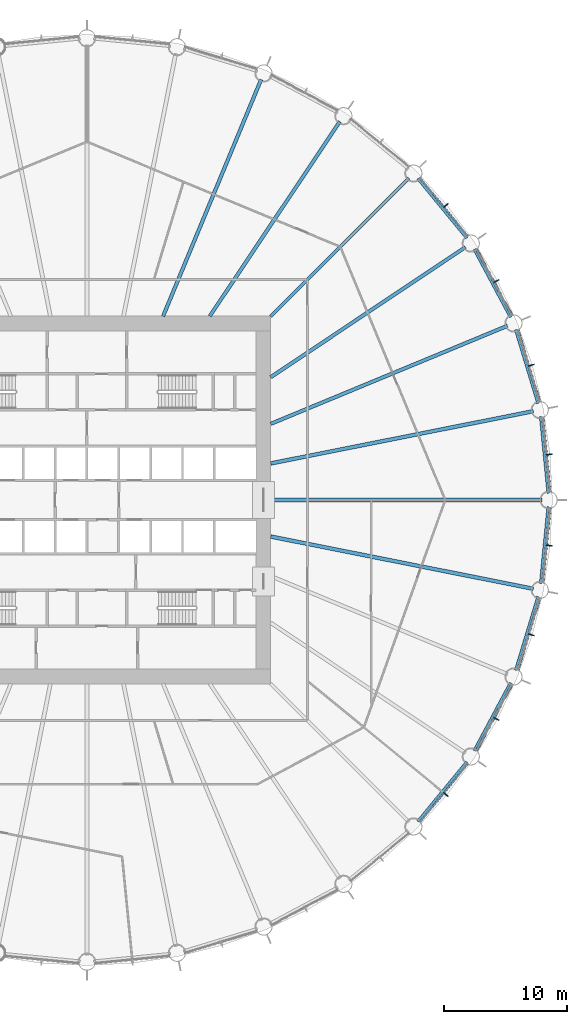
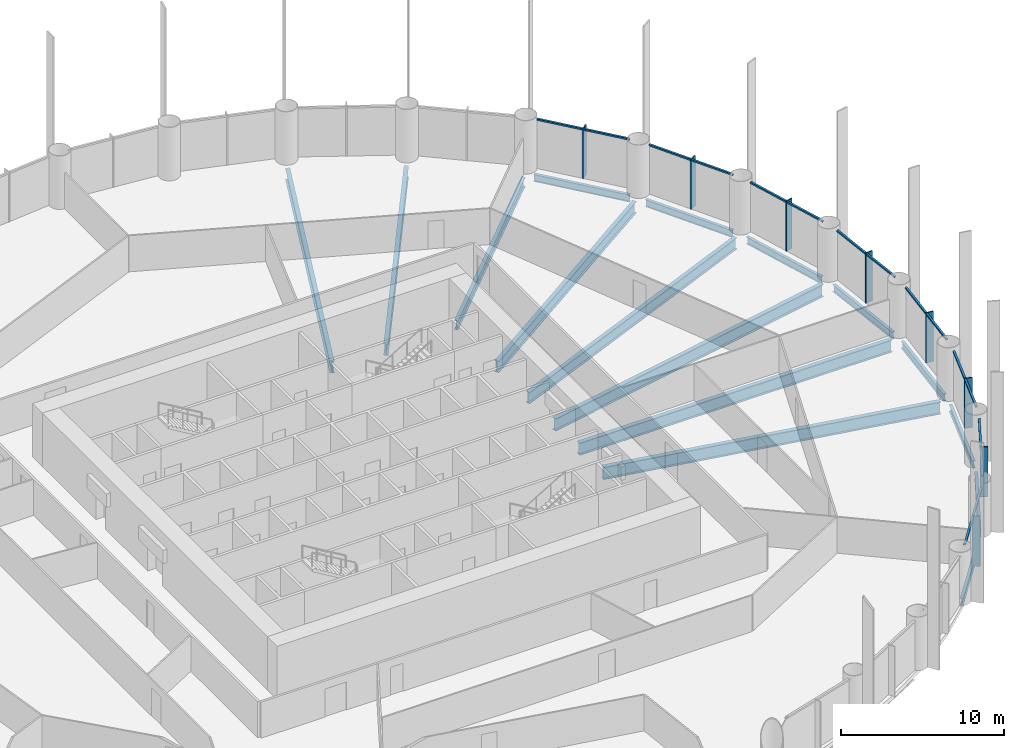
# One storey, part 5 of 15: 24 members, 16 beams, 8 elements without a shape of their own.
"""IFC4 building model written with IfcOpenShell, lengths in metres."""

from ifc_helpers import new_model, si_unit, direction, frame, origin, origin_2d, place, context, subcontext, project, spatial, rectangle, i_section, extrude, material, material_profile, profile_set, type_object, element, aggregate, save


model = new_model("IFC4")

# Units and contexts
model_context = context("Model", 3, precision=1e-05, world=origin(), true_north=direction((0.0, 1.0)))
body_context = subcontext(model_context, "Body", "Model", "MODEL_VIEW")
ifc_project = project(units=[si_unit("LENGTHUNIT", "METRE"), si_unit("AREAUNIT", "SQUARE_METRE"), si_unit("VOLUMEUNIT", "CUBIC_METRE"), si_unit("PLANEANGLEUNIT", "RADIAN"), si_unit("MASSUNIT", "GRAM", prefix="KILO")], contexts=[model_context])

# Site, building, storey
site_placement = place(None, origin())
site = spatial("IfcSite", under=ifc_project, at=site_placement, CompositionType="ELEMENT")
building_placement = place(site_placement, origin())
building = spatial("IfcBuilding", under=site, at=building_placement, Name="Corvane Civic Tower", CompositionType="ELEMENT")
storey_placement = place(building_placement, frame((0.0, 0.0, 65.0)))
storey = spatial("IfcBuildingStorey", under=building, at=storey_placement, Name="L14", CompositionType="ELEMENT", Elevation=65.0)

# Beams
ifc_material_1 = material(Name="Steel ASTM A992 Gr 50", Category="steel")
ifc_material_profile_1 = material_profile(ifc_material_1, i_section(OverallWidth=0.209228515625, OverallDepth=0.533447265625, WebThickness=0.01025390625, FlangeThickness=0.015625, at=origin_2d()), Name="W21X62")
ifc_profile_set_1 = profile_set([ifc_material_profile_1], Name="Steel ASTM A992 Gr 50")
beam_type_1 = type_object("IfcBeamType", Name="EDGE BEAM W21X62", PredefinedType="BEAM", material=ifc_profile_set_1)
beam_1_placement = place(storey_placement, frame((27.0068359375, 26.23291015625, -0.566650390625), z_axis=(0.634386787141, -0.773015785286, 0.0), x_axis=(0.773015785286, 0.634386787141, 0.0)))
element("IfcBeam", 1, at=beam_1_placement, inside=storey, type_object=beam_type_1, Name="BM-L14-E05", PredefinedType="BEAM", context=body_context, shape_type="SweptSolid", body=[
    extrude(i_section(OverallWidth=0.209228515625, OverallDepth=0.533447265625, WebThickness=0.01025390625, FlangeThickness=0.015625, at=origin_2d()), origin(), (0.0, 0.0, 1.0), 6.290771484375),
])
for number, where, z_axis, x_axis, name in (
    (2, (31.605712890625, 20.4599609375, -0.566650390625), (0.471405897311, -0.881916367906, 0.0), (0.881916367906, 0.471405897311, 0.0), "BM-L14-E06"),
    (3, (34.989990234375, 13.90087890625, -0.566650390625), (0.290273452184, -0.956943740748, 0.0), (0.956943740748, 0.290273452184, 0.0), "BM-L14-E07"),
):
    element("IfcBeam", number, at=place(storey_placement, frame(where, z_axis=z_axis, x_axis=x_axis)), inside=storey, type_object=beam_type_1, Name=name, PredefinedType="BEAM", context=body_context, shape_type="SweptSolid", body=[
        extrude(i_section(OverallWidth=0.209228515625, OverallDepth=0.533447265625, WebThickness=0.01025390625, FlangeThickness=0.015625, at=origin_2d()), origin(), (0.0, 0.0, 1.0), 6.290283203125),
    ])
for number, where, z_axis, x_axis, name in (
    (4, (37.029541015625, 6.8076171875, -0.566650390625), (0.097997284622, -0.995186682089, 0.0), (0.995186682089, 0.097997284622, 0.0), "BM-L14-E08"),
    (5, (37.64599609375, -0.54736328125, -0.566650390625), (-0.097997284622, -0.995186682089, 0.0), (0.995186682089, -0.097997284622, 0.0), "BM-L14-E09"),
):
    element("IfcBeam", number, at=place(storey_placement, frame(where, z_axis=z_axis, x_axis=x_axis)), inside=storey, type_object=beam_type_1, Name=name, PredefinedType="BEAM", context=body_context, shape_type="SweptSolid", body=[
        extrude(i_section(OverallWidth=0.209228515625, OverallDepth=0.533447265625, WebThickness=0.01025390625, FlangeThickness=0.015625, at=origin_2d()), origin(), (0.0, 0.0, 1.0), 6.29052734375),
    ])
for number, where, z_axis, x_axis, name in (
    (6, (36.81591796875, -7.88134765625, -0.566650390625), (-0.290273452184, -0.956943740748, 0.0), (0.956943740748, -0.290273452184, 0.0), "BM-L14-E10"),
    (7, (34.571044921875, -14.912353515625, -0.566650390625), (-0.471405897311, -0.881916367906, 0.0), (0.881916367906, -0.471405897311, 0.0), "BM-L14-E11"),
):
    element("IfcBeam", number, at=place(storey_placement, frame(where, z_axis=z_axis, x_axis=x_axis)), inside=storey, type_object=beam_type_1, Name=name, PredefinedType="BEAM", context=body_context, shape_type="SweptSolid", body=[
        extrude(i_section(OverallWidth=0.209228515625, OverallDepth=0.533447265625, WebThickness=0.01025390625, FlangeThickness=0.015625, at=origin_2d()), origin(), (0.0, 0.0, 1.0), 6.290283203125),
    ])
beam_2_placement = place(storey_placement, frame((30.99755859375, -21.3701171875, -0.566650390625), z_axis=(-0.634386787141, -0.773015785286, 0.0), x_axis=(0.773015785286, -0.634386787141, 0.0)))
element("IfcBeam", 8, at=beam_2_placement, inside=storey, type_object=beam_type_1, Name="BM-L14-E12", PredefinedType="BEAM", context=body_context, shape_type="SweptSolid", body=[
    extrude(i_section(OverallWidth=0.209228515625, OverallDepth=0.533447265625, WebThickness=0.01025390625, FlangeThickness=0.015625, at=origin_2d()), origin(), (0.0, 0.0, 1.0), 6.290771484375),
])
ifc_material_2 = material(Name="Steel ASTM A992 Gr 50", Category="steel")
ifc_material_profile_2 = material_profile(ifc_material_2, i_section(OverallWidth=0.256591796875, OverallDepth=0.693359375, WebThickness=0.014404296875, FlangeThickness=0.023681640625, at=origin_2d()), Name="W27X114")
ifc_profile_set_2 = profile_set([ifc_material_profile_2], Name="Steel ASTM A992 Gr 50")
beam_type_2 = type_object("IfcBeamType", Name="FLOOR GIRDER W27X114", PredefinedType="BEAM", material=ifc_profile_set_2)
beam_3_placement = place(storey_placement, frame((15.0, 15.0, -0.646728515625), z_axis=(0.707106781187, 0.707106781187, 0.0), x_axis=(-0.707106781187, 0.707106781187, 0.0)))
element("IfcBeam", 9, at=beam_3_placement, inside=storey, type_object=beam_type_2, Name="BM-L14-G05", PredefinedType="BEAM", context=body_context, shape_type="SweptSolid", body=[
    extrude(i_section(OverallWidth=0.256591796875, OverallDepth=0.693359375, WebThickness=0.014404296875, FlangeThickness=0.023681640625, at=origin_2d()), origin(), (0.0, 0.0, 1.0), 15.936767578125),
])
ifc_material_3 = material(Name="Steel ASTM A992 Gr 50", Category="steel")
ifc_material_profile_3 = material_profile(ifc_material_3, i_section(OverallWidth=0.2919921875, OverallDepth=0.8583984375, WebThickness=0.01708984375, FlangeThickness=0.031005859375, at=origin_2d()), Name="W33X169")
ifc_profile_set_3 = profile_set([ifc_material_profile_3], Name="Steel ASTM A992 Gr 50")
beam_type_3 = type_object("IfcBeamType", Name="FLOOR GIRDER W33X169", PredefinedType="BEAM", material=ifc_profile_set_3)
beam_4_placement = place(storey_placement, frame((6.213134765625, 15.0, -0.729248046875), z_axis=(0.382692360381, 0.923875834355, 0.0), x_axis=(-0.923875834355, 0.382692360381, 0.0)))
element("IfcBeam", 10, at=beam_4_placement, inside=storey, type_object=beam_type_3, Name="BM-L14-G03", PredefinedType="BEAM", context=body_context, shape_type="SweptSolid", body=[
    extrude(i_section(OverallWidth=0.2919921875, OverallDepth=0.8583984375, WebThickness=0.01708984375, FlangeThickness=0.031005859375, at=origin_2d()), origin(), (0.0, 0.0, 1.0), 20.9140625),
])
for number, where, z_axis, x_axis, name in (
    (11, (10.022705078125, 15.0, -0.729248046875), (0.555566681385, 0.831471985418, 0.0), (-0.831471985418, 0.555566681385, 0.0), "BM-L14-G04"),
    (12, (15.0, 10.022705078125, -0.729248046875), (0.831471985418, 0.555566681385, 0.0), (-0.555566681385, 0.831471985418, 0.0), "BM-L14-G06"),
):
    element("IfcBeam", number, at=place(storey_placement, frame(where, z_axis=z_axis, x_axis=x_axis)), inside=storey, type_object=beam_type_3, Name=name, PredefinedType="BEAM", context=body_context, shape_type="SweptSolid", body=[
        extrude(i_section(OverallWidth=0.2919921875, OverallDepth=0.8583984375, WebThickness=0.01708984375, FlangeThickness=0.031005859375, at=origin_2d()), origin(), (0.0, 0.0, 1.0), 19.109619140625),
    ])
beam_5_placement = place(storey_placement, frame((15.0, 6.213134765625, -0.729248046875), z_axis=(0.923875834355, 0.382692360381, 0.0), x_axis=(-0.382692360381, 0.923875834355, 0.0)))
element("IfcBeam", 13, at=beam_5_placement, inside=storey, type_object=beam_type_3, Name="BM-L14-G07", PredefinedType="BEAM", context=body_context, shape_type="SweptSolid", body=[
    extrude(i_section(OverallWidth=0.2919921875, OverallDepth=0.8583984375, WebThickness=0.01708984375, FlangeThickness=0.031005859375, at=origin_2d()), origin(), (0.0, 0.0, 1.0), 20.9140625),
])
ifc_material_4 = material(Name="Steel ASTM A992 Gr 50", Category="steel")
ifc_material_profile_4 = material_profile(ifc_material_4, i_section(OverallWidth=0.307373046875, OverallDepth=0.927001953125, WebThickness=0.01953125, FlangeThickness=0.031982421875, at=origin_2d()), Name="W36X194")
ifc_profile_set_4 = profile_set([ifc_material_profile_4], Name="Steel ASTM A992 Gr 50")
beam_type_4 = type_object("IfcBeamType", Name="FLOOR GIRDER W36X194", PredefinedType="BEAM", material=ifc_profile_set_4)
beam_6_placement = place(storey_placement, frame((15.0, 2.983642578125, -0.763671875), z_axis=(0.980785499679, 0.195089219638, 0.0), x_axis=(-0.195089219638, 0.980785499679, 0.0)))
element("IfcBeam", 14, at=beam_6_placement, inside=storey, type_object=beam_type_4, Name="BM-L14-G08", PredefinedType="BEAM", context=body_context, shape_type="SweptSolid", body=[
    extrude(i_section(OverallWidth=0.307373046875, OverallDepth=0.927001953125, WebThickness=0.01953125, FlangeThickness=0.031982421875, at=origin_2d()), origin(), (0.0, 0.0, 1.0), 21.856201171875),
])
beam_7_placement = place(storey_placement, frame((15.0, 0.0, -0.763671875), z_axis=(1.0, 0.0, 0.0), x_axis=(0.0, 1.0, 0.0)))
element("IfcBeam", 15, at=beam_7_placement, inside=storey, type_object=beam_type_4, Name="BM-L14-G09", PredefinedType="BEAM", context=body_context, shape_type="SweptSolid", body=[
    extrude(i_section(OverallWidth=0.307373046875, OverallDepth=0.927001953125, WebThickness=0.01953125, FlangeThickness=0.031982421875, at=origin_2d()), origin(), (0.0, 0.0, 1.0), 22.14990234375),
])
beam_8_placement = place(storey_placement, frame((15.0, -2.983642578125, -0.763671875), z_axis=(0.980785499679, -0.195089219638, 0.0), x_axis=(0.195089219638, 0.980785499679, 0.0)))
element("IfcBeam", 16, at=beam_8_placement, inside=storey, type_object=beam_type_4, Name="BM-L14-G10", PredefinedType="BEAM", context=body_context, shape_type="SweptSolid", body=[
    extrude(i_section(OverallWidth=0.307373046875, OverallDepth=0.927001953125, WebThickness=0.01953125, FlangeThickness=0.031982421875, at=origin_2d()), origin(), (0.0, 0.0, 1.0), 21.856201171875),
])

# Curtain wall, members
ifc_material_5 = material(Name="Anodised aluminium bronze", Category="aluminium")
curtain_wall_type = type_object("IfcCurtainWallType", Name="TOWER CW-T1 STICK CURTAIN WALL", PredefinedType="NOTDEFINED", material=ifc_material_5)
curtain_wall_1_placement = place(storey_placement, origin())
curtain_wall_1 = element("IfcCurtainWall", 17, at=curtain_wall_1_placement, inside=storey, type_object=curtain_wall_type, Name="Curtain wall CW-T1 L14 bay 05", PredefinedType="NOTDEFINED")
ifc_material_6 = material(Name="Anodised aluminium bronze", Category="aluminium")
ifc_material_profile_5 = material_profile(ifc_material_6, rectangle(XDim=0.139892578125, YDim=0.1201171875, at=origin_2d()), Name="TOWER CW-T1 TRANSOM 140x120")
ifc_profile_set_5 = profile_set([ifc_material_profile_5], Name="Anodised aluminium bronze")
member_type_1 = type_object("IfcMemberType", Name="TOWER CW-T1 TRANSOM 140x120", PredefinedType="USERDEFINED", material=ifc_profile_set_5)
member_1_placement = place(storey_placement, frame((27.20654296875, 26.271728515625, 3.68994140625), z_axis=(0.634403652865, -0.773001943873, 0.0), x_axis=(0.773001943873, 0.634403652865, 0.0)))
member_1 = element("IfcMember", 18, at=member_1_placement, type_object=member_type_1, Name="Transom CW-T1 L14 05.1", ObjectType="TRANSOM", PredefinedType="USERDEFINED", context=body_context, shape_type="SweptSolid", body=[
    extrude(rectangle(XDim=0.139892578125, YDim=0.1201171875, at=origin_2d()), origin(), (0.0, 0.0, 1.0), 3.008544921875),
])
member_2_placement = place(storey_placement, frame((29.166015625, 23.88427734375, 3.68994140625), z_axis=(0.634355161466, -0.773041738279, 0.0), x_axis=(0.773041738279, 0.634355161466, 0.0)))
member_2 = element("IfcMember", 19, at=member_2_placement, type_object=member_type_1, Name="Transom CW-T1 L14 05.2", ObjectType="TRANSOM", PredefinedType="USERDEFINED", context=body_context, shape_type="SweptSolid", body=[
    extrude(rectangle(XDim=0.139892578125, YDim=0.1201171875, at=origin_2d()), origin(), (0.0, 0.0, 1.0), 3.008544921875),
])

curtain_wall_2_placement = place(storey_placement, origin())
curtain_wall_2 = element("IfcCurtainWall", 20, at=curtain_wall_2_placement, inside=storey, type_object=curtain_wall_type, Name="Curtain wall CW-T1 L14 bay 06", PredefinedType="NOTDEFINED")
member_3_placement = place(storey_placement, frame((31.809326171875, 20.459228515625, 3.68994140625), z_axis=(0.471392506424, -0.881923525532, 0.0), x_axis=(0.881923525532, 0.471392506424, 0.0)))
member_3 = element("IfcMember", 21, at=member_3_placement, type_object=member_type_1, Name="Transom CW-T1 L14 06.1", ObjectType="TRANSOM", PredefinedType="USERDEFINED", context=body_context, shape_type="SweptSolid", body=[
    extrude(rectangle(XDim=0.139892578125, YDim=0.1201171875, at=origin_2d()), origin(), (0.0, 0.0, 1.0), 3.008544921875),
])
member_4_placement = place(storey_placement, frame((33.26513671875, 17.7353515625, 3.68994140625), z_axis=(0.471392506424, -0.881923525532, 0.0), x_axis=(0.881923525532, 0.471392506424, 0.0)))
member_4 = element("IfcMember", 22, at=member_4_placement, type_object=member_type_1, Name="Transom CW-T1 L14 06.2", ObjectType="TRANSOM", PredefinedType="USERDEFINED", context=body_context, shape_type="SweptSolid", body=[
    extrude(rectangle(XDim=0.139892578125, YDim=0.1201171875, at=origin_2d()), origin(), (0.0, 0.0, 1.0), 3.008544921875),
])

curtain_wall_3_placement = place(storey_placement, origin())
curtain_wall_3 = element("IfcCurtainWall", 23, at=curtain_wall_3_placement, inside=storey, type_object=curtain_wall_type, Name="Curtain wall CW-T1 L14 bay 07", PredefinedType="NOTDEFINED")
member_5_placement = place(storey_placement, frame((35.189453125, 13.8603515625, 3.68994140625), z_axis=(0.290279914268, -0.956941780555, 0.0), x_axis=(0.956941780555, 0.290279914268, 0.0)))
member_5 = element("IfcMember", 24, at=member_5_placement, type_object=member_type_1, Name="Transom CW-T1 L14 07.1", ObjectType="TRANSOM", PredefinedType="USERDEFINED", context=body_context, shape_type="SweptSolid", body=[
    extrude(rectangle(XDim=0.139892578125, YDim=0.1201171875, at=origin_2d()), origin(), (0.0, 0.0, 1.0), 3.008544921875),
])
member_6_placement = place(storey_placement, frame((36.0859375, 10.90478515625, 3.68994140625), z_axis=(0.290279914268, -0.956941780555, 0.0), x_axis=(0.956941780555, 0.290279914268, 0.0)))
member_6 = element("IfcMember", 25, at=member_6_placement, type_object=member_type_1, Name="Transom CW-T1 L14 07.2", ObjectType="TRANSOM", PredefinedType="USERDEFINED", context=body_context, shape_type="SweptSolid", body=[
    extrude(rectangle(XDim=0.139892578125, YDim=0.1201171875, at=origin_2d()), origin(), (0.0, 0.0, 1.0), 3.008544921875),
])

curtain_wall_4_placement = place(storey_placement, origin())
curtain_wall_4 = element("IfcCurtainWall", 26, at=curtain_wall_4_placement, inside=storey, type_object=curtain_wall_type, Name="Curtain wall CW-T1 L14 bay 08", PredefinedType="NOTDEFINED")
member_7_placement = place(storey_placement, frame((37.21728515625, 6.72900390625, 3.68994140625), z_axis=(0.097944923917, -0.995191836722, 0.0), x_axis=(0.995191836722, 0.097944923917, 0.0)))
member_7 = element("IfcMember", 27, at=member_7_placement, type_object=member_type_1, Name="Transom CW-T1 L14 08.1", ObjectType="TRANSOM", PredefinedType="USERDEFINED", context=body_context, shape_type="SweptSolid", body=[
    extrude(rectangle(XDim=0.139892578125, YDim=0.1201171875, at=origin_2d()), origin(), (0.0, 0.0, 1.0), 3.008544921875),
])
member_8_placement = place(storey_placement, frame((37.52001953125, 3.6552734375, 3.68994140625), z_axis=(0.097944923917, -0.995191836722, 0.0), x_axis=(0.995191836722, 0.097944923917, 0.0)))
member_8 = element("IfcMember", 28, at=member_8_placement, type_object=member_type_1, Name="Transom CW-T1 L14 08.2", ObjectType="TRANSOM", PredefinedType="USERDEFINED", context=body_context, shape_type="SweptSolid", body=[
    extrude(rectangle(XDim=0.139892578125, YDim=0.1201171875, at=origin_2d()), origin(), (0.0, 0.0, 1.0), 3.008544921875),
])

curtain_wall_5_placement = place(storey_placement, origin())
curtain_wall_5 = element("IfcCurtainWall", 29, at=curtain_wall_5_placement, inside=storey, type_object=curtain_wall_type, Name="Curtain wall CW-T1 L14 bay 09", PredefinedType="NOTDEFINED")
member_9_placement = place(storey_placement, frame((37.814697265625, -0.6611328125, 3.68994140625), z_axis=(-0.097944923917, -0.995191836722, 0.0), x_axis=(0.995191836722, -0.097944923917, 0.0)))
member_9 = element("IfcMember", 30, at=member_9_placement, type_object=member_type_1, Name="Transom CW-T1 L14 09.1", ObjectType="TRANSOM", PredefinedType="USERDEFINED", context=body_context, shape_type="SweptSolid", body=[
    extrude(rectangle(XDim=0.139892578125, YDim=0.1201171875, at=origin_2d()), origin(), (0.0, 0.0, 1.0), 3.008544921875),
])
member_10_placement = place(storey_placement, frame((37.511962890625, -3.73486328125, 3.68994140625), z_axis=(-0.097944923917, -0.995191836722, 0.0), x_axis=(0.995191836722, -0.097944923917, 0.0)))
member_10 = element("IfcMember", 31, at=member_10_placement, type_object=member_type_1, Name="Transom CW-T1 L14 09.2", ObjectType="TRANSOM", PredefinedType="USERDEFINED", context=body_context, shape_type="SweptSolid", body=[
    extrude(rectangle(XDim=0.139892578125, YDim=0.1201171875, at=origin_2d()), origin(), (0.0, 0.0, 1.0), 3.008544921875),
])

curtain_wall_6_placement = place(storey_placement, origin())
curtain_wall_6 = element("IfcCurtainWall", 32, at=curtain_wall_6_placement, inside=storey, type_object=curtain_wall_type, Name="Curtain wall CW-T1 L14 bay 10", PredefinedType="NOTDEFINED")
member_11_placement = place(storey_placement, frame((36.959228515625, -8.02587890625, 3.68994140625), z_axis=(-0.290279914268, -0.956941780555, 0.0), x_axis=(0.956941780555, -0.290279914268, 0.0)))
member_11 = element("IfcMember", 33, at=member_11_placement, type_object=member_type_1, Name="Transom CW-T1 L14 10.1", ObjectType="TRANSOM", PredefinedType="USERDEFINED", context=body_context, shape_type="SweptSolid", body=[
    extrude(rectangle(XDim=0.139892578125, YDim=0.1201171875, at=origin_2d()), origin(), (0.0, 0.0, 1.0), 3.008544921875),
])
member_12_placement = place(storey_placement, frame((36.062744140625, -10.9814453125, 3.68994140625), z_axis=(-0.290279914268, -0.956941780555, 0.0), x_axis=(0.956941780555, -0.290279914268, 0.0)))
member_12 = element("IfcMember", 34, at=member_12_placement, type_object=member_type_1, Name="Transom CW-T1 L14 10.2", ObjectType="TRANSOM", PredefinedType="USERDEFINED", context=body_context, shape_type="SweptSolid", body=[
    extrude(rectangle(XDim=0.139892578125, YDim=0.1201171875, at=origin_2d()), origin(), (0.0, 0.0, 1.0), 3.008544921875),
])

curtain_wall_7_placement = place(storey_placement, origin())
curtain_wall_7 = element("IfcCurtainWall", 35, at=curtain_wall_7_placement, inside=storey, type_object=curtain_wall_type, Name="Curtain wall CW-T1 L14 bay 11", PredefinedType="NOTDEFINED")
member_13_placement = place(storey_placement, frame((34.683349609375, -15.08203125, 3.68994140625), z_axis=(-0.471392506424, -0.881923525532, 0.0), x_axis=(0.881923525532, -0.471392506424, 0.0)))
member_13 = element("IfcMember", 36, at=member_13_placement, type_object=member_type_1, Name="Transom CW-T1 L14 11.1", ObjectType="TRANSOM", PredefinedType="USERDEFINED", context=body_context, shape_type="SweptSolid", body=[
    extrude(rectangle(XDim=0.139892578125, YDim=0.1201171875, at=origin_2d()), origin(), (0.0, 0.0, 1.0), 3.008544921875),
])
member_14_placement = place(storey_placement, frame((33.2275390625, -17.805908203125, 3.68994140625), z_axis=(-0.471392506424, -0.881923525532, 0.0), x_axis=(0.881923525532, -0.471392506424, 0.0)))
member_14 = element("IfcMember", 37, at=member_14_placement, type_object=member_type_1, Name="Transom CW-T1 L14 11.2", ObjectType="TRANSOM", PredefinedType="USERDEFINED", context=body_context, shape_type="SweptSolid", body=[
    extrude(rectangle(XDim=0.139892578125, YDim=0.1201171875, at=origin_2d()), origin(), (0.0, 0.0, 1.0), 3.008544921875),
])

curtain_wall_8_placement = place(storey_placement, origin())
curtain_wall_8 = element("IfcCurtainWall", 38, at=curtain_wall_8_placement, inside=storey, type_object=curtain_wall_type, Name="Curtain wall CW-T1 L14 bay 12", PredefinedType="NOTDEFINED")
member_15_placement = place(storey_placement, frame((31.074462890625, -21.55859375, 3.68994140625), z_axis=(-0.634355161466, -0.773041738279, 0.0), x_axis=(0.773041738279, -0.634355161466, 0.0)))
member_15 = element("IfcMember", 39, at=member_15_placement, type_object=member_type_1, Name="Transom CW-T1 L14 12.1", ObjectType="TRANSOM", PredefinedType="USERDEFINED", context=body_context, shape_type="SweptSolid", body=[
    extrude(rectangle(XDim=0.139892578125, YDim=0.1201171875, at=origin_2d()), origin(), (0.0, 0.0, 1.0), 3.008544921875),
])
member_16_placement = place(storey_placement, frame((29.115234375, -23.946044921875, 3.68994140625), z_axis=(-0.634403652865, -0.773001943873, 0.0), x_axis=(0.773001943873, -0.634403652865, 0.0)))
member_16 = element("IfcMember", 40, at=member_16_placement, type_object=member_type_1, Name="Transom CW-T1 L14 12.2", ObjectType="TRANSOM", PredefinedType="USERDEFINED", context=body_context, shape_type="SweptSolid", body=[
    extrude(rectangle(XDim=0.139892578125, YDim=0.1201171875, at=origin_2d()), origin(), (0.0, 0.0, 1.0), 3.008544921875),
])

# Member
ifc_material_7 = material(Name="Anodised aluminium bronze", Category="aluminium")
ifc_material_profile_6 = material_profile(ifc_material_7, rectangle(XDim=0.080078125, YDim=0.5, at=origin_2d()), Name="TOWER FIN MULLION 80x500 BRONZE")
ifc_profile_set_6 = profile_set([ifc_material_profile_6], Name="Anodised aluminium bronze")
member_type_2 = type_object("IfcMemberType", Name="TOWER FIN MULLION 80x500 BRONZE", PredefinedType="MULLION", material=ifc_profile_set_6)
member_17_placement = place(storey_placement, frame((29.295166015625, 24.0419921875, 0.0), z_axis=(0.0, 0.0, 1.0), x_axis=(0.634397218569, -0.773007224463, 0.0)))
member_17 = element("IfcMember", 41, at=member_17_placement, type_object=member_type_2, Name="Fin mullion 05 L14", PredefinedType="MULLION", context=body_context, shape_type="SweptSolid", body=[
    extrude(rectangle(XDim=0.080078125, YDim=0.5, at=origin_2d()), origin(), (0.0, 0.0, 1.0), 3.75),
])

aggregate(curtain_wall_1, [member_17, member_1, member_2])

member_18_placement = place(storey_placement, frame((33.422607421875, 17.86474609375, 0.0), z_axis=(0.0, 0.0, 1.0), x_axis=(0.471403725359, -0.881917528864, 0.0)))
member_18 = element("IfcMember", 42, at=member_18_placement, type_object=member_type_2, Name="Fin mullion 06 L14", PredefinedType="MULLION", context=body_context, shape_type="SweptSolid", body=[
    extrude(rectangle(XDim=0.080078125, YDim=0.5, at=origin_2d()), origin(), (0.0, 0.0, 1.0), 3.75),
])

aggregate(curtain_wall_2, [member_18, member_3, member_4])

member_19_placement = place(storey_placement, frame((36.265625, 11.001220703125, 0.0), z_axis=(0.0, 0.0, 1.0), x_axis=(0.290278397654, -0.956942240606, 0.0)))
member_19 = element("IfcMember", 43, at=member_19_placement, type_object=member_type_2, Name="Fin mullion 07 L14", PredefinedType="MULLION", context=body_context, shape_type="SweptSolid", body=[
    extrude(rectangle(XDim=0.080078125, YDim=0.5, at=origin_2d()), origin(), (0.0, 0.0, 1.0), 3.75),
])

aggregate(curtain_wall_3, [member_19, member_5, member_6])

member_20_placement = place(storey_placement, frame((37.715087890625, 3.714599609375, 0.0), z_axis=(0.0, 0.0, 1.0), x_axis=(0.098006239521, -0.995185800248, 0.0)))
member_20 = element("IfcMember", 44, at=member_20_placement, type_object=member_type_2, Name="Fin mullion 08 L14", PredefinedType="MULLION", context=body_context, shape_type="SweptSolid", body=[
    extrude(rectangle(XDim=0.080078125, YDim=0.5, at=origin_2d()), origin(), (0.0, 0.0, 1.0), 3.75),
])

aggregate(curtain_wall_4, [member_20, member_7, member_8])

member_21_placement = place(storey_placement, frame((37.715087890625, -3.714599609375, 0.0), z_axis=(0.0, 0.0, 1.0), x_axis=(-0.098006239521, -0.995185800248, 0.0)))
member_21 = element("IfcMember", 45, at=member_21_placement, type_object=member_type_2, Name="Fin mullion 09 L14", PredefinedType="MULLION", context=body_context, shape_type="SweptSolid", body=[
    extrude(rectangle(XDim=0.080078125, YDim=0.5, at=origin_2d()), origin(), (0.0, 0.0, 1.0), 3.75),
])

aggregate(curtain_wall_5, [member_21, member_9, member_10])

member_22_placement = place(storey_placement, frame((36.265625, -11.001220703125, 0.0), z_axis=(0.0, 0.0, 1.0), x_axis=(-0.290278397654, -0.956942240606, 0.0)))
member_22 = element("IfcMember", 46, at=member_22_placement, type_object=member_type_2, Name="Fin mullion 10 L14", PredefinedType="MULLION", context=body_context, shape_type="SweptSolid", body=[
    extrude(rectangle(XDim=0.080078125, YDim=0.5, at=origin_2d()), origin(), (0.0, 0.0, 1.0), 3.75),
])

aggregate(curtain_wall_6, [member_22, member_11, member_12])

member_23_placement = place(storey_placement, frame((33.422607421875, -17.86474609375, 0.0), z_axis=(0.0, 0.0, 1.0), x_axis=(-0.471403725359, -0.881917528864, 0.0)))
member_23 = element("IfcMember", 47, at=member_23_placement, type_object=member_type_2, Name="Fin mullion 11 L14", PredefinedType="MULLION", context=body_context, shape_type="SweptSolid", body=[
    extrude(rectangle(XDim=0.080078125, YDim=0.5, at=origin_2d()), origin(), (0.0, 0.0, 1.0), 3.75),
])

aggregate(curtain_wall_7, [member_23, member_13, member_14])

member_24_placement = place(storey_placement, frame((29.295166015625, -24.0419921875, 0.0), z_axis=(0.0, 0.0, 1.0), x_axis=(-0.634397218569, -0.773007224463, 0.0)))
member_24 = element("IfcMember", 48, at=member_24_placement, type_object=member_type_2, Name="Fin mullion 12 L14", PredefinedType="MULLION", context=body_context, shape_type="SweptSolid", body=[
    extrude(rectangle(XDim=0.080078125, YDim=0.5, at=origin_2d()), origin(), (0.0, 0.0, 1.0), 3.75),
])

aggregate(curtain_wall_8, [member_24, member_15, member_16])

save(model, "model.ifc")
